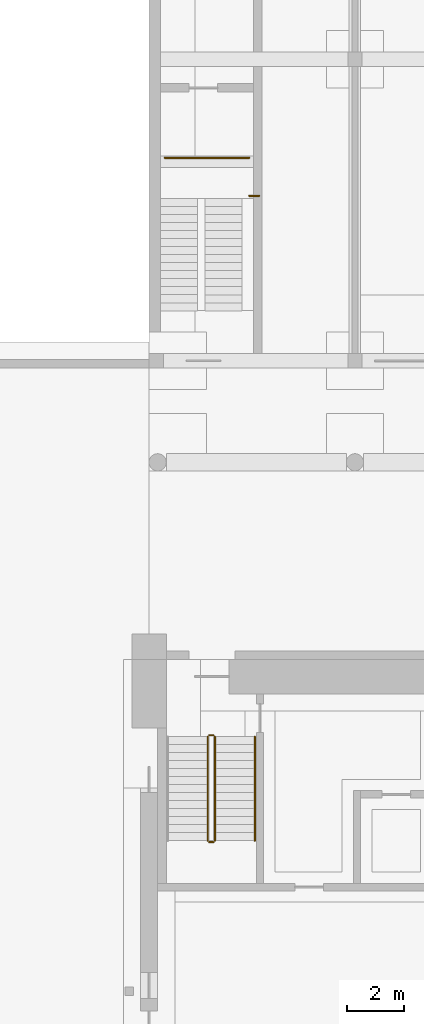
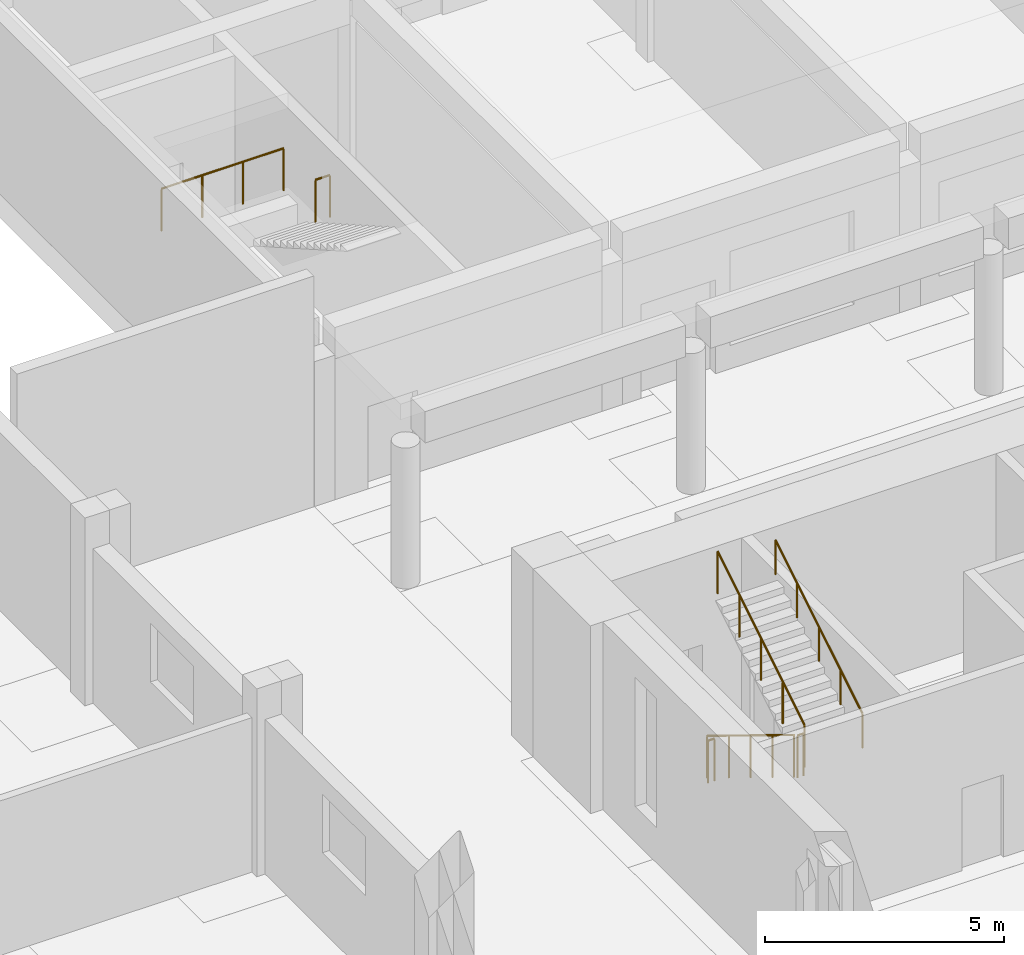
# One storey, part 64 of 73: 7 railings.
"""IFC4 building model written with IfcOpenShell, lengths in metres."""

from ifc_helpers import new_model, si_unit, direction, frame, origin, origin_2d, place, context, subcontext, project, spatial, circle, extrude, material, type_object, element, save


model = new_model("IFC4")

# Units and contexts
model_context = context("Model", 3, precision=1e-05, world=origin(), true_north=direction((0.0, 1.0)))
body_context = subcontext(model_context, "Body", "Model", "MODEL_VIEW")
ifc_project = project(units=[si_unit("LENGTHUNIT", "METRE"), si_unit("AREAUNIT", "SQUARE_METRE"), si_unit("VOLUMEUNIT", "CUBIC_METRE"), si_unit("PLANEANGLEUNIT", "RADIAN"), si_unit("MASSUNIT", "GRAM", prefix="KILO")], contexts=[model_context])

# Site, building, storey
site_placement = place(None, origin())
site = spatial("IfcSite", under=ifc_project, at=site_placement, CompositionType="ELEMENT")
building_placement = place(site_placement, origin())
building = spatial("IfcBuilding", under=site, at=building_placement, Name="Alderwick Market Hall", CompositionType="ELEMENT")
storey_placement = place(building_placement, origin())
storey = spatial("IfcBuildingStorey", under=building, at=storey_placement, Name="LG", CompositionType="ELEMENT", Elevation=0.0)

# Railings
ifc_material_1 = material(Name="Steel ASTM A500 Grade C", Category="steel")
railing_type_1 = type_object("IfcRailingType", Name="A Roof Guard 1100", PredefinedType="GUARDRAIL", material=ifc_material_1)
railing_1_placement = place(storey_placement, frame((50.949951171875, 126.14990234375, 2.39990234375)))
element("IfcRailing", 1, at=railing_1_placement, inside=storey, type_object=railing_type_1, Name="Stair guard", PredefinedType="GUARDRAIL", context=body_context, shape_type="SweptSolid", body=[
    extrude(circle(Radius=0.02392578125, at=origin_2d()), frame((0.0, 0.0, 1.076171875), z_axis=(1.0, 0.0, 0.0), x_axis=(0.0, 1.0, 0.0)), (0.0, 0.0, 1.0), 2.949951171875),
    extrude(circle(Radius=0.02099609375, at=origin_2d()), origin(), (0.0, 0.0, 1.0), 1.052001953125),
    extrude(circle(Radius=0.02099609375, at=origin_2d()), frame((0.9833984375, 0.0, 0.0)), (0.0, 0.0, 1.0), 1.052001953125),
    extrude(circle(Radius=0.02099609375, at=origin_2d()), frame((1.966552734375, 0.0, 0.0)), (0.0, 0.0, 1.0), 1.052001953125),
    extrude(circle(Radius=0.02099609375, at=origin_2d()), frame((2.949951171875, 0.0, 0.0)), (0.0, 0.0, 1.0), 1.052001953125),
])
railing_2_placement = place(storey_placement, frame((54.25, 124.820068359375, 2.39990234375)))
element("IfcRailing", 2, at=railing_2_placement, inside=storey, type_object=railing_type_1, Name="Stair guard", PredefinedType="GUARDRAIL", context=body_context, shape_type="SweptSolid", body=[
    extrude(circle(Radius=0.02392578125, at=origin_2d()), frame((0.0, 0.0, 1.076171875), z_axis=(-1.0, 0.0, 0.0), x_axis=(0.0, -1.0, 0.0)), (0.0, 0.0, 1.0), 0.35009765625),
    extrude(circle(Radius=0.02099609375, at=origin_2d()), origin(), (0.0, 0.0, 1.0), 1.052001953125),
    extrude(circle(Radius=0.02099609375, at=origin_2d()), frame((-0.35009765625, 0.0, 0.0)), (0.0, 0.0, 1.0), 1.052001953125),
])
ifc_material_2 = material(Name="Steel, painted", Category="steel")
railing_type_2 = type_object("IfcRailingType", Name="H Guard 1100", PredefinedType="GUARDRAIL", material=ifc_material_2)
railing_3_placement = place(storey_placement, frame((52.449951171875, 105.89990234375, 0.17138671875)))
element("IfcRailing", 3, at=railing_3_placement, inside=storey, type_object=railing_type_2, Name="LG H-NW stair guard 1", PredefinedType="GUARDRAIL", context=body_context, shape_type="SweptSolid", body=[
    extrude(circle(Radius=0.02392578125, at=origin_2d()), frame((0.0, 0.0, 1.076171875), z_axis=(0.0, -0.852850264322, 0.5221555579), x_axis=(1.0, 0.0, 0.0)), (0.0, 0.0, 1.0), 4.267822265625),
    extrude(circle(Radius=0.02099609375, at=origin_2d()), origin(), (0.0, 0.0, 1.0), 1.052001953125),
    extrude(circle(Radius=0.02099609375, at=origin_2d()), frame((0.0, -0.909912109375, 0.55712890625)), (0.0, 0.0, 1.0), 1.052001953125),
    extrude(circle(Radius=0.02099609375, at=origin_2d()), frame((0.0, -1.81982421875, 1.1142578125)), (0.0, 0.0, 1.0), 1.052001953125),
    extrude(circle(Radius=0.02099609375, at=origin_2d()), frame((0.0, -2.72998046875, 1.67138671875)), (0.0, 0.0, 1.0), 1.052001953125),
    extrude(circle(Radius=0.02099609375, at=origin_2d()), frame((0.0, -3.639892578125, 2.228515625)), (0.0, 0.0, 1.0), 1.052001953125),
])
railing_4_placement = place(storey_placement, frame((52.5, 102.2099609375, 2.39990234375)))
element("IfcRailing", 4, at=railing_4_placement, inside=storey, type_object=railing_type_2, Name="LG H-NW stair guard 2", PredefinedType="GUARDRAIL", context=body_context, shape_type="SweptSolid", body=[
    extrude(circle(Radius=0.02392578125, at=origin_2d()), frame((0.0, 0.0, 1.076171875), z_axis=(1.0, 0.0, 0.0), x_axis=(0.0, 1.0, 0.0)), (0.0, 0.0, 1.0), 0.14990234375),
    extrude(circle(Radius=0.02099609375, at=origin_2d()), origin(), (0.0, 0.0, 1.0), 1.052001953125),
    extrude(circle(Radius=0.02099609375, at=origin_2d()), frame((0.14990234375, 0.0, 0.0)), (0.0, 0.0, 1.0), 1.052001953125),
])
railing_5_placement = place(storey_placement, frame((52.699951171875, 102.260009765625, 2.571533203125)))
element("IfcRailing", 5, at=railing_5_placement, inside=storey, type_object=railing_type_2, Name="LG H-NW stair guard 3", PredefinedType="GUARDRAIL", context=body_context, shape_type="SweptSolid", body=[
    extrude(circle(Radius=0.02392578125, at=origin_2d()), frame((0.0, 0.0, 1.076171875), z_axis=(0.0, 0.852850264322, 0.5221555579), x_axis=(-1.0, 0.0, 0.0)), (0.0, 0.0, 1.0), 4.267822265625),
    extrude(circle(Radius=0.02099609375, at=origin_2d()), origin(), (0.0, 0.0, 1.0), 1.052001953125),
    extrude(circle(Radius=0.02099609375, at=origin_2d()), frame((0.0, 0.909912109375, 0.55712890625)), (0.0, 0.0, 1.0), 1.052001953125),
    extrude(circle(Radius=0.02099609375, at=origin_2d()), frame((0.0, 1.81982421875, 1.1142578125)), (0.0, 0.0, 1.0), 1.052001953125),
    extrude(circle(Radius=0.02099609375, at=origin_2d()), frame((0.0, 2.72998046875, 1.67138671875)), (0.0, 0.0, 1.0), 1.052001953125),
    extrude(circle(Radius=0.02099609375, at=origin_2d()), frame((0.0, 3.639892578125, 2.228515625)), (0.0, 0.0, 1.0), 1.052001953125),
])
railing_6_placement = place(storey_placement, frame((52.5, 105.949951171875, 0.0)))
element("IfcRailing", 6, at=railing_6_placement, inside=storey, type_object=railing_type_2, Name="LG H-NW stair guard 4", PredefinedType="GUARDRAIL", context=body_context, shape_type="SweptSolid", body=[
    extrude(circle(Radius=0.02392578125, at=origin_2d()), frame((0.0, 0.0, 1.076171875), z_axis=(1.0, 0.0, 0.0), x_axis=(0.0, 1.0, 0.0)), (0.0, 0.0, 1.0), 0.14990234375),
    extrude(circle(Radius=0.02099609375, at=origin_2d()), origin(), (0.0, 0.0, 1.0), 1.052001953125),
    extrude(circle(Radius=0.02099609375, at=origin_2d()), frame((0.14990234375, 0.0, 0.0)), (0.0, 0.0, 1.0), 1.052001953125),
])
railing_type_3 = type_object("IfcRailingType", Name="H Handrail 900", PredefinedType="HANDRAIL", material=ifc_material_2)
railing_7_placement = place(storey_placement, frame((54.10009765625, 102.260009765625, 2.571533203125)))
element("IfcRailing", 7, at=railing_7_placement, inside=storey, type_object=railing_type_3, Name="LG H-NW stair handrail 2", PredefinedType="HANDRAIL", context=body_context, shape_type="SweptSolid", body=[
    extrude(circle(Radius=0.02392578125, at=origin_2d()), frame((0.0, 0.0, 0.8759765625), z_axis=(0.0, 0.852850264322, 0.5221555579), x_axis=(-1.0, 0.0, 0.0)), (0.0, 0.0, 1.0), 4.267822265625),
    extrude(circle(Radius=0.02099609375, at=origin_2d()), origin(), (0.0, 0.0, 1.0), 0.851806640625),
    extrude(circle(Radius=0.02099609375, at=origin_2d()), frame((0.0, 0.909912109375, 0.55712890625)), (0.0, 0.0, 1.0), 0.851806640625),
    extrude(circle(Radius=0.02099609375, at=origin_2d()), frame((0.0, 1.81982421875, 1.1142578125)), (0.0, 0.0, 1.0), 0.851806640625),
    extrude(circle(Radius=0.02099609375, at=origin_2d()), frame((0.0, 2.72998046875, 1.67138671875)), (0.0, 0.0, 1.0), 0.851806640625),
    extrude(circle(Radius=0.02099609375, at=origin_2d()), frame((0.0, 3.639892578125, 2.228515625)), (0.0, 0.0, 1.0), 0.851806640625),
])

save(model, "model.ifc")
